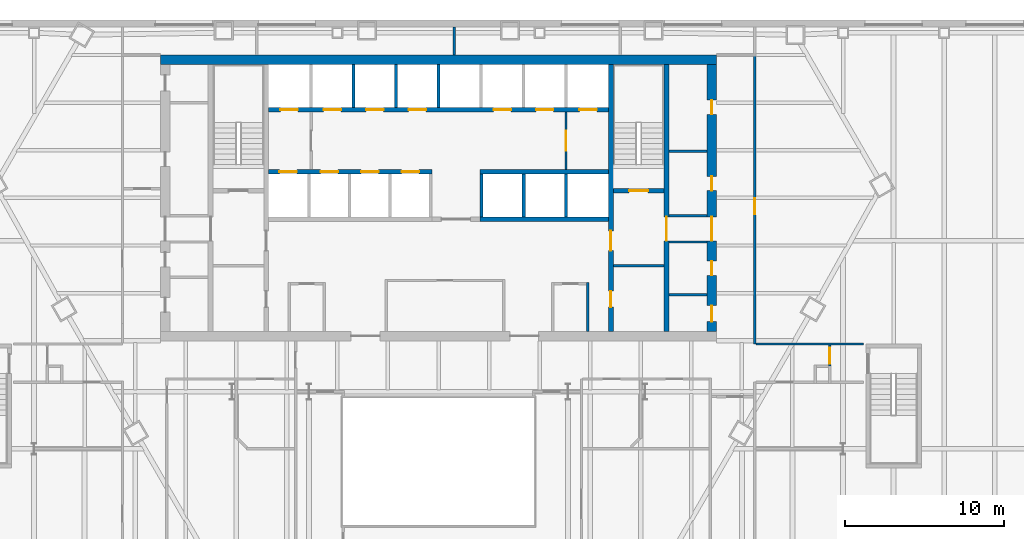
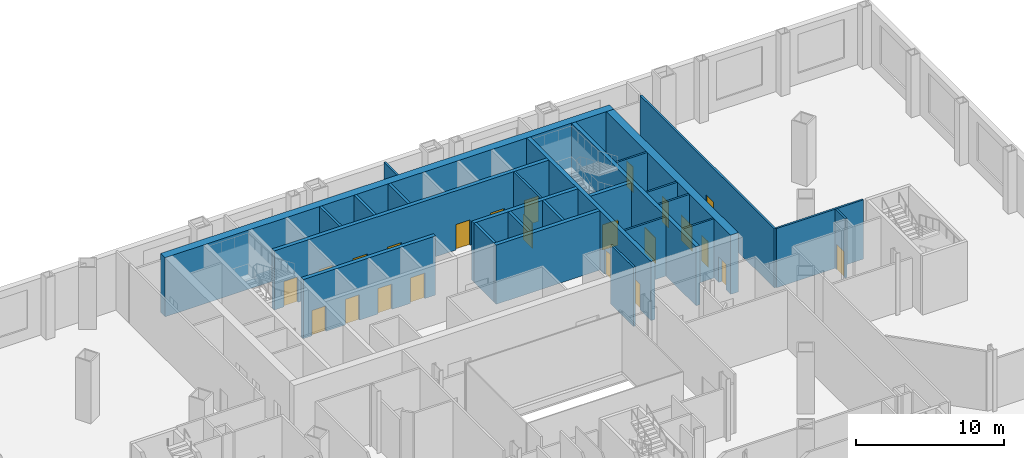
# One storey, part 13 of 21: 26 walls, 23 doors, 23 openings.
"""IFC4 building model written with IfcOpenShell, lengths in metres."""

from ifc_helpers import new_model, si_unit, direction, frame, frame_2d, origin, place, context, subcontext, project, spatial, rectangle, extrude, material, layer, layer_set, type_object, element, fill, save


model = new_model("IFC4")

# Units and contexts
model_context = context("Model", 3, precision=1e-05, world=origin(), true_north=direction((0.0, 1.0)))
body_context = subcontext(model_context, "Body", "Model", "MODEL_VIEW")
ifc_project = project(units=[si_unit("LENGTHUNIT", "METRE"), si_unit("AREAUNIT", "SQUARE_METRE"), si_unit("VOLUMEUNIT", "CUBIC_METRE"), si_unit("PLANEANGLEUNIT", "RADIAN"), si_unit("MASSUNIT", "GRAM", prefix="KILO")], contexts=[model_context])

# Site, building, storey
site_placement = place(None, origin())
site = spatial("IfcSite", under=ifc_project, at=site_placement, CompositionType="ELEMENT")
building_placement = place(site_placement, origin())
building = spatial("IfcBuilding", under=site, at=building_placement, Name="Njiva Tower", CompositionType="ELEMENT")
storey_placement = place(building_placement, frame((0.0, 0.0, 8.4)))
storey = spatial("IfcBuildingStorey", under=building, at=storey_placement, Name="L01", CompositionType="ELEMENT", Elevation=8.4)

# Walls
ifc_material_1 = material(Name="Blockwork", Category="masonry")
ifc_layer_1 = layer(ifc_material_1, 0.15)
ifc_layer_set_1 = layer_set([ifc_layer_1], Name="Blockwork")
wall_type_1 = type_object("IfcWallType", Name="WT1 Compartment partition 150", PredefinedType="PARTITIONING", material=ifc_layer_set_1)
wall_1_placement = place(storey_placement, frame((11.0, 4.725, 0.0), z_axis=(0.0, 0.0, 1.0), x_axis=(1.0, 0.0, 0.0)))
element("IfcWall", 1, at=wall_1_placement, inside=storey, type_object=wall_type_1, Name="Room wall B", PredefinedType="PARTITIONING", context=body_context, shape_type="SweptSolid", body=[
    extrude(rectangle(XDim=3.2, YDim=0.15, at=frame_2d((1.6, 0.0))), origin(), (0.0, 0.0, 1.0), 4.88),
])
wall_2_placement = place(storey_placement, frame((14.5, 11.9317, 0.0), z_axis=(0.0, 0.0, 1.0), x_axis=(1.0, 0.0, 0.0)))
element("IfcWall", 2, at=wall_2_placement, inside=storey, type_object=wall_type_1, Name="Partition strip E10", PredefinedType="PARTITIONING", context=body_context, shape_type="SweptSolid", body=[
    extrude(rectangle(XDim=2.4, YDim=0.15, at=frame_2d((1.2, 0.0))), origin(), (0.0, 0.0, 1.0), 4.88),
])
wall_3_placement = place(storey_placement, frame((9.4, 0.6, 0.0), z_axis=(0.0, 0.0, 1.0), x_axis=(0.0, 1.0, 0.0)))
element("IfcWall", 3, at=wall_3_placement, inside=storey, type_object=wall_type_1, Name="Tenant reception wall east", PredefinedType="PARTITIONING", context=body_context, shape_type="SweptSolid", body=[
    extrude(rectangle(XDim=3.075, YDim=0.15, at=frame_2d((1.5375, 0.0))), origin(), (0.0, 0.0, 1.0), 4.88),
])

# Wall, openings, doors
ifc_material_2 = material(Name="Concrete C40/50", Category="concrete")
ifc_layer_2 = layer(ifc_material_2, 0.3)
ifc_layer_set_2 = layer_set([ifc_layer_2], Name="Concrete C40/50")
wall_type_2 = type_object("IfcWallType", Name="WT10 Stair enclosure wall 300", PredefinedType="SHEAR", material=ifc_layer_set_2)
wall_4_placement = place(storey_placement, frame((10.85, 0.6, 0.0), z_axis=(0.0, 0.0, 1.0), x_axis=(0.0, 1.0, 0.0)))
wall_4 = element("IfcWall", 4, at=wall_4_placement, inside=storey, type_object=wall_type_2, Name="Stair wall east inner", PredefinedType="SHEAR", context=body_context, shape_type="SweptSolid", body=[
    extrude(rectangle(XDim=16.8, YDim=0.3, at=frame_2d((8.4, 0.0))), origin(), (0.0, 0.0, 1.0), 4.88),
])
opening_1_placement = place(wall_4_placement, frame((5.075, 0.0, 0.0)))
opening_1 = element("IfcOpeningElement", 5, at=opening_1_placement, cuts=wall_4, Name="Opening L01-D918", PredefinedType="OPENING", context=body_context, shape_type="SweptSolid", body=[
    extrude(rectangle(XDim=1.25, YDim=2.1, at=frame_2d((0.625, 1.05))), frame((0.0, 0.16, 0.0), z_axis=(0.0, -1.0, 0.0), x_axis=(1.0, 0.0, 0.0)), (0.0, 0.0, 1.0), 0.32),
])
opening_2_placement = place(wall_4_placement, frame((1.525, 0.0, 0.0)))
opening_2 = element("IfcOpeningElement", 6, at=opening_2_placement, cuts=wall_4, Name="Opening L01-D919", PredefinedType="OPENING", context=body_context, shape_type="SweptSolid", body=[
    extrude(rectangle(XDim=1.0, YDim=2.1, at=frame_2d((0.5, 1.05))), frame((0.0, 0.16, 0.0), z_axis=(0.0, -1.0, 0.0), x_axis=(1.0, 0.0, 0.0)), (0.0, 0.0, 1.0), 0.32),
])
ifc_material_3 = material(Name="Steel door, painted", Category="steel")
door_type_1 = type_object("IfcDoorType", Name="D5 Steel door 1000x2100", OperationType="SINGLE_SWING_LEFT", PredefinedType="DOOR", material=ifc_material_3)
door_1_placement = place(opening_2_placement, origin())
door_1 = element("IfcDoor", 7, at=door_1_placement, inside=storey, type_object=door_type_1, Name="Breakout room door", OperationType="SINGLE_SWING_LEFT", OverallHeight=2.1, OverallWidth=1.0, PredefinedType="DOOR", context=body_context, shape_type="SweptSolid", body=[
    extrude(rectangle(XDim=1.0, YDim=2.1, at=frame_2d((0.5, 1.05))), frame((0.0, 0.025, 0.0), z_axis=(0.0, -1.0, 0.0), x_axis=(1.0, 0.0, 0.0)), (0.0, 0.0, 1.0), 0.05),
])
fill(opening_2, door_1)
ifc_material_4 = material(Name="Glazed steel fire door", Category="steel")
door_type_2 = type_object("IfcDoorType", Name="D8 Vestibule corridor door 1250x2100 glazed", OperationType="SINGLE_SWING_LEFT", PredefinedType="DOOR", material=ifc_material_4)
door_2_placement = place(opening_1_placement, origin())
door_2 = element("IfcDoor", 8, at=door_2_placement, inside=storey, type_object=door_type_2, Name="Stair vestibule corridor door", OperationType="SINGLE_SWING_RIGHT", OverallHeight=2.1, OverallWidth=1.25, PredefinedType="DOOR", context=body_context, shape_type="SweptSolid", body=[
    extrude(rectangle(XDim=1.25, YDim=2.1, at=frame_2d((0.625, 1.05))), frame((0.0, 0.025, 0.0), z_axis=(0.0, -1.0, 0.0), x_axis=(1.0, 0.0, 0.0)), (0.0, 0.0, 1.0), 0.05),
])
fill(opening_1, door_2)

# Wall, opening, door
wall_5_placement = place(storey_placement, frame((14.35, 0.6, 0.0), z_axis=(0.0, 0.0, 1.0), x_axis=(0.0, 1.0, 0.0)))
wall_5 = element("IfcWall", 9, at=wall_5_placement, inside=storey, type_object=wall_type_2, Name="Stair wall east outer", PredefinedType="SHEAR", context=body_context, shape_type="SweptSolid", body=[
    extrude(rectangle(XDim=16.8, YDim=0.3, at=frame_2d((8.4, 0.0))), origin(), (0.0, 0.0, 1.0), 4.88),
])
opening_3_placement = place(wall_5_placement, frame((5.7, 0.0, 0.0)))
opening_3 = element("IfcOpeningElement", 10, at=opening_3_placement, cuts=wall_5, Name="Opening L01-D926", PredefinedType="OPENING", context=body_context, shape_type="SweptSolid", body=[
    extrude(rectangle(XDim=1.5, YDim=2.1, at=frame_2d((0.75, 1.05))), frame((0.0, 0.16, 0.0), z_axis=(0.0, -1.0, 0.0), x_axis=(1.0, 0.0, 0.0)), (0.0, 0.0, 1.0), 0.32),
])
door_type_3 = type_object("IfcDoorType", Name="D10 Exit door double 1500x2100 glazed", OperationType="DOUBLE_DOOR_SINGLE_SWING", PredefinedType="DOOR", material=ifc_material_4)
door_3_placement = place(opening_3_placement, origin())
door_3 = element("IfcDoor", 11, at=door_3_placement, inside=storey, type_object=door_type_3, Name="Stair B passage door", OperationType="DOUBLE_DOOR_SINGLE_SWING", OverallHeight=2.1, OverallWidth=1.5, PredefinedType="DOOR", context=body_context, shape_type="SweptSolid", body=[
    extrude(rectangle(XDim=1.5, YDim=2.1, at=frame_2d((0.75, 1.05))), frame((0.0, 0.025, 0.0), z_axis=(0.0, -1.0, 0.0), x_axis=(1.0, 0.0, 0.0)), (0.0, 0.0, 1.0), 0.05),
])
fill(opening_3, door_3)

wall_6_placement = place(storey_placement, frame((11.0, 9.45, 0.0), z_axis=(0.0, 0.0, 1.0), x_axis=(1.0, 0.0, 0.0)))
wall_6 = element("IfcWall", 12, at=wall_6_placement, inside=storey, type_object=wall_type_2, Name="Stair B south wall", PredefinedType="SHEAR", context=body_context, shape_type="SweptSolid", body=[
    extrude(rectangle(XDim=3.2, YDim=0.3, at=frame_2d((1.6, 0.0))), origin(), (0.0, 0.0, 1.0), 4.88),
])
opening_4_placement = place(wall_6_placement, frame((1.0, 0.0, 0.0)))
opening_4 = element("IfcOpeningElement", 13, at=opening_4_placement, cuts=wall_6, Name="Opening L01-D917", PredefinedType="OPENING", context=body_context, shape_type="SweptSolid", body=[
    extrude(rectangle(XDim=1.2, YDim=2.1, at=frame_2d((0.6, 1.05))), frame((0.0, 0.16, 0.0), z_axis=(0.0, -1.0, 0.0), x_axis=(1.0, 0.0, 0.0)), (0.0, 0.0, 1.0), 0.32),
])
door_type_4 = type_object("IfcDoorType", Name="D7 Stair vestibule door 1200x2100 glazed", OperationType="SINGLE_SWING_LEFT", PredefinedType="DOOR", material=ifc_material_4)
door_4_placement = place(opening_4_placement, origin())
door_4 = element("IfcDoor", 14, at=door_4_placement, inside=storey, type_object=door_type_4, Name="Stair B door", OperationType="SINGLE_SWING_LEFT", OverallHeight=2.1, OverallWidth=1.2, PredefinedType="DOOR", context=body_context, shape_type="SweptSolid", body=[
    extrude(rectangle(XDim=1.2, YDim=2.1, at=frame_2d((0.6, 1.05))), frame((0.0, 0.025, 0.0), z_axis=(0.0, -1.0, 0.0), x_axis=(1.0, 0.0, 0.0)), (0.0, 0.0, 1.0), 0.05),
])
fill(opening_4, door_4)

# Wall
ifc_material_5 = material(Name="Concrete C60/75", Category="concrete")
ifc_layer_3 = layer(ifc_material_5, 0.6)
ifc_layer_set_3 = layer_set([ifc_layer_3], Name="Concrete C60/75")
wall_type_3 = type_object("IfcWallType", Name="WT15 Core wall 600", PredefinedType="SHEAR", material=ifc_layer_set_3)
wall_7_placement = place(storey_placement, frame((-17.5, 17.7, 0.0), z_axis=(0.0, 0.0, 1.0), x_axis=(1.0, 0.0, 0.0)))
element("IfcWall", 15, at=wall_7_placement, inside=storey, type_object=wall_type_3, Name="Core wall north", PredefinedType="SHEAR", context=body_context, shape_type="SweptSolid", body=[
    extrude(rectangle(XDim=35.0, YDim=0.6, at=frame_2d((17.5, 0.0))), origin(), (0.0, 0.0, 1.0), 4.88),
])

# Wall, openings, doors
wall_8_placement = place(storey_placement, frame((17.2, 0.6, 0.0), z_axis=(0.0, 0.0, 1.0), x_axis=(0.0, 1.0, 0.0)))
wall_8 = element("IfcWall", 16, at=wall_8_placement, inside=storey, type_object=wall_type_3, Name="Core wall east", PredefinedType="SHEAR", context=body_context, shape_type="SweptSolid", body=[
    extrude(rectangle(XDim=16.8, YDim=0.6, at=frame_2d((8.4, 0.0))), origin(), (0.0, 0.0, 1.0), 4.88),
])
opening_5_placement = place(wall_8_placement, frame((5.7, 0.0, 0.0)))
opening_5 = element("IfcOpeningElement", 17, at=opening_5_placement, cuts=wall_8, Name="Opening L01-D927", PredefinedType="OPENING", context=body_context, shape_type="SweptSolid", body=[
    extrude(rectangle(XDim=1.5, YDim=2.1, at=frame_2d((0.75, 1.05))), frame((0.0, 0.31, 0.0), z_axis=(0.0, -1.0, 0.0), x_axis=(1.0, 0.0, 0.0)), (0.0, 0.0, 1.0), 0.62),
])
opening_6_placement = place(wall_8_placement, frame((0.6176, 0.0, 0.0)))
opening_6 = element("IfcOpeningElement", 18, at=opening_6_placement, cuts=wall_8, Name="Opening L01-D928", PredefinedType="OPENING", context=body_context, shape_type="SweptSolid", body=[
    extrude(rectangle(XDim=1.0, YDim=2.1, at=frame_2d((0.5, 1.05))), frame((0.0, 0.31, 0.0), z_axis=(0.0, -1.0, 0.0), x_axis=(1.0, 0.0, 0.0)), (0.0, 0.0, 1.0), 0.62),
])
opening_7_placement = place(wall_8_placement, frame((3.5176, 0.0, 0.0)))
opening_7 = element("IfcOpeningElement", 19, at=opening_7_placement, cuts=wall_8, Name="Opening L01-D929", PredefinedType="OPENING", context=body_context, shape_type="SweptSolid", body=[
    extrude(rectangle(XDim=0.9, YDim=2.1, at=frame_2d((0.45, 1.05))), frame((0.0, 0.31, 0.0), z_axis=(0.0, -1.0, 0.0), x_axis=(1.0, 0.0, 0.0)), (0.0, 0.0, 1.0), 0.62),
])
opening_8_placement = place(wall_8_placement, frame((8.8534, 0.0, 0.0)))
opening_8 = element("IfcOpeningElement", 20, at=opening_8_placement, cuts=wall_8, Name="Opening L01-D930", PredefinedType="OPENING", context=body_context, shape_type="SweptSolid", body=[
    extrude(rectangle(XDim=0.9, YDim=2.1, at=frame_2d((0.45, 1.05))), frame((0.0, 0.31, 0.0), z_axis=(0.0, -1.0, 0.0), x_axis=(1.0, 0.0, 0.0)), (0.0, 0.0, 1.0), 0.62),
])
opening_9_placement = place(wall_8_placement, frame((13.6534, 0.0, 0.0)))
opening_9 = element("IfcOpeningElement", 21, at=opening_9_placement, cuts=wall_8, Name="Opening L01-D931", PredefinedType="OPENING", context=body_context, shape_type="SweptSolid", body=[
    extrude(rectangle(XDim=0.9, YDim=2.1, at=frame_2d((0.45, 1.05))), frame((0.0, 0.31, 0.0), z_axis=(0.0, -1.0, 0.0), x_axis=(1.0, 0.0, 0.0)), (0.0, 0.0, 1.0), 0.62),
])
door_5_placement = place(opening_5_placement, origin())
door_5 = element("IfcDoor", 22, at=door_5_placement, inside=storey, type_object=door_type_3, Name="Stair B corridor door", OperationType="DOUBLE_DOOR_SINGLE_SWING", OverallHeight=2.1, OverallWidth=1.5, PredefinedType="DOOR", context=body_context, shape_type="SweptSolid", body=[
    extrude(rectangle(XDim=1.5, YDim=2.1, at=frame_2d((0.75, 1.05))), frame((0.0, 0.025, 0.0), z_axis=(0.0, -1.0, 0.0), x_axis=(1.0, 0.0, 0.0)), (0.0, 0.0, 1.0), 0.05),
])
fill(opening_5, door_5)
door_type_5 = type_object("IfcDoorType", Name="D4 Riser door 900x2100", OperationType="SINGLE_SWING_LEFT", PredefinedType="DOOR", material=ifc_material_3)
door_6_placement = place(opening_7_placement, origin())
door_6 = element("IfcDoor", 23, at=door_6_placement, inside=storey, type_object=door_type_5, Name="Riser door", OperationType="SINGLE_SWING_LEFT", OverallHeight=2.1, OverallWidth=0.9, PredefinedType="DOOR", context=body_context, shape_type="SweptSolid", body=[
    extrude(rectangle(XDim=0.9, YDim=2.1, at=frame_2d((0.45, 1.05))), frame((0.0, 0.025, 0.0), z_axis=(0.0, -1.0, 0.0), x_axis=(1.0, 0.0, 0.0)), (0.0, 0.0, 1.0), 0.05),
])
fill(opening_7, door_6)
door_7_placement = place(opening_6_placement, origin())
door_7 = element("IfcDoor", 24, at=door_7_placement, inside=storey, type_object=door_type_1, Name="Telecoms room door", OperationType="SINGLE_SWING_RIGHT", OverallHeight=2.1, OverallWidth=1.0, PredefinedType="DOOR", context=body_context, shape_type="SweptSolid", body=[
    extrude(rectangle(XDim=1.0, YDim=2.1, at=frame_2d((0.5, 1.05))), frame((0.0, 0.025, 0.0), z_axis=(0.0, -1.0, 0.0), x_axis=(1.0, 0.0, 0.0)), (0.0, 0.0, 1.0), 0.05),
])
fill(opening_6, door_7)
ifc_material_6 = material(Name="Steel fire door, painted", Category="steel")
door_type_6 = type_object("IfcDoorType", Name="D6 Fire-rated door 900x2100", OperationType="SINGLE_SWING_LEFT", PredefinedType="DOOR", material=ifc_material_6)
door_8_placement = place(opening_8_placement, origin())
door_8 = element("IfcDoor", 25, at=door_8_placement, inside=storey, type_object=door_type_6, Name="Quiet room door", OperationType="SINGLE_SWING_LEFT", OverallHeight=2.1, OverallWidth=0.9, PredefinedType="DOOR", context=body_context, shape_type="SweptSolid", body=[
    extrude(rectangle(XDim=0.9, YDim=2.1, at=frame_2d((0.45, 1.05))), frame((0.0, 0.025, 0.0), z_axis=(0.0, -1.0, 0.0), x_axis=(1.0, 0.0, 0.0)), (0.0, 0.0, 1.0), 0.05),
])
fill(opening_8, door_8)
door_9_placement = place(opening_9_placement, origin())
door_9 = element("IfcDoor", 26, at=door_9_placement, inside=storey, type_object=door_type_6, Name="Prayer room door", OperationType="SINGLE_SWING_LEFT", OverallHeight=2.1, OverallWidth=0.9, PredefinedType="DOOR", context=body_context, shape_type="SweptSolid", body=[
    extrude(rectangle(XDim=0.9, YDim=2.1, at=frame_2d((0.45, 1.05))), frame((0.0, 0.025, 0.0), z_axis=(0.0, -1.0, 0.0), x_axis=(1.0, 0.0, 0.0)), (0.0, 0.0, 1.0), 0.05),
])
fill(opening_9, door_9)

# Wall, opening, door
ifc_layer_4 = layer(ifc_material_1, 0.15)
ifc_layer_set_4 = layer_set([ifc_layer_4], Name="Blockwork")
wall_type_4 = type_object("IfcWallType", Name="WT2 Lobby partition 150", PredefinedType="PARTITIONING", material=ifc_layer_set_4)
wall_9_placement = place(storey_placement, frame((8.025, 10.8, 0.0), z_axis=(0.0, 0.0, 1.0), x_axis=(0.0, 1.0, 0.0)))
wall_9 = element("IfcWall", 27, at=wall_9_placement, inside=storey, type_object=wall_type_4, Name="Firefighting lobby wall B", PredefinedType="PARTITIONING", context=body_context, shape_type="SweptSolid", body=[
    extrude(rectangle(XDim=3.6, YDim=0.15, at=frame_2d((1.8, 0.0))), origin(), (0.0, 0.0, 1.0), 4.88),
])
opening_10_placement = place(wall_9_placement, frame((1.175, 0.0, 0.0)))
opening_10 = element("IfcOpeningElement", 28, at=opening_10_placement, cuts=wall_9, Name="Opening L01-D916", PredefinedType="OPENING", context=body_context, shape_type="SweptSolid", body=[
    extrude(rectangle(XDim=1.25, YDim=2.1, at=frame_2d((0.625, 1.05))), frame((0.0, 0.085, 0.0), z_axis=(0.0, -1.0, 0.0), x_axis=(1.0, 0.0, 0.0)), (0.0, 0.0, 1.0), 0.17),
])
door_10_placement = place(opening_10_placement, origin())
door_10 = element("IfcDoor", 29, at=door_10_placement, inside=storey, type_object=door_type_2, Name="Stair vestibule corridor door", OperationType="SINGLE_SWING_LEFT", OverallHeight=2.1, OverallWidth=1.25, PredefinedType="DOOR", context=body_context, shape_type="SweptSolid", body=[
    extrude(rectangle(XDim=1.25, YDim=2.1, at=frame_2d((0.625, 1.05))), frame((0.0, 0.025, 0.0), z_axis=(0.0, -1.0, 0.0), x_axis=(1.0, 0.0, 0.0)), (0.0, 0.0, 1.0), 0.05),
])
fill(opening_10, door_10)

ifc_material_7 = material(Name="Gypsum board on steel studs", Category="gypsum")
ifc_layer_5 = layer(ifc_material_7, 0.15)
ifc_layer_set_5 = layer_set([ifc_layer_5], Name="Gypsum board on steel studs")
wall_type_5 = type_object("IfcWallType", Name="WT21 Compartment wall 150", PredefinedType="PARTITIONING", material=ifc_layer_set_5)
wall_10_placement = place(storey_placement, frame((19.9, -0.211, 0.0), z_axis=(0.0, 0.0, 1.0), x_axis=(0.0, 1.0, 0.0)))
wall_10 = element("IfcWall", 30, at=wall_10_placement, inside=storey, type_object=wall_type_5, Name="Partition L01-P085", PredefinedType="PARTITIONING", context=body_context, shape_type="SweptSolid", body=[
    extrude(rectangle(XDim=18.136, YDim=0.15, at=frame_2d((9.068, 0.0))), origin(), (0.0, 0.0, 1.0), 4.88),
])
opening_11_placement = place(wall_10_placement, frame((8.174, 0.0, 0.0)))
opening_11 = element("IfcOpeningElement", 31, at=opening_11_placement, cuts=wall_10, Name="Opening L01-D031", PredefinedType="OPENING", context=body_context, shape_type="SweptSolid", body=[
    extrude(rectangle(XDim=1.0, YDim=2.1, at=frame_2d((0.5, 1.05))), frame((0.0, 0.085, 0.0), z_axis=(0.0, -1.0, 0.0), x_axis=(1.0, 0.0, 0.0)), (0.0, 0.0, 1.0), 0.17),
])
ifc_material_8 = material(Name="Steel fire door set", Category="steel")
door_type_7 = type_object("IfcDoorType", Name="D37 Fire door 1000x2100", OperationType="SINGLE_SWING_LEFT", PredefinedType="DOOR", material=ifc_material_8)
door_11_placement = place(opening_11_placement, origin())
door_11 = element("IfcDoor", 32, at=door_11_placement, inside=storey, type_object=door_type_7, Name="Door L01-D031", OperationType="SINGLE_SWING_LEFT", OverallHeight=2.1, OverallWidth=1.0, PredefinedType="DOOR", context=body_context, shape_type="SweptSolid", body=[
    extrude(rectangle(XDim=1.0, YDim=2.1, at=frame_2d((0.5, 1.05))), frame((0.0, 0.025, 0.0), z_axis=(0.0, -1.0, 0.0), x_axis=(1.0, 0.0, 0.0)), (0.0, 0.0, 1.0), 0.05),
])
fill(opening_11, door_11)

# Wall
wall_11_placement = place(storey_placement, frame((19.975, -0.2, 0.0), z_axis=(0.0, 0.0, 1.0), x_axis=(1.0, 0.0, 0.0)))
element("IfcWall", 33, at=wall_11_placement, inside=storey, type_object=wall_type_5, Name="Partition L01-P089", PredefinedType="PARTITIONING", context=body_context, shape_type="SweptSolid", body=[
    extrude(rectangle(XDim=6.775, YDim=0.15, at=frame_2d((3.3875, 0.0))), origin(), (0.0, 0.0, 1.0), 4.88),
])

# Wall, opening, door
wall_12_placement = place(storey_placement, frame((24.625, -1.588, 0.0), z_axis=(0.0, 0.0, 1.0), x_axis=(0.0, 1.0, 0.0)))
wall_12 = element("IfcWall", 34, at=wall_12_placement, inside=storey, type_object=wall_type_5, Name="Partition L01-P095", PredefinedType="PARTITIONING", context=body_context, shape_type="SweptSolid", body=[
    extrude(rectangle(XDim=1.313, YDim=0.15, at=frame_2d((0.6565, 0.0))), origin(), (0.0, 0.0, 1.0), 4.88),
])
opening_12_placement = place(wall_12_placement, frame((0.157, 0.0, 0.0)))
opening_12 = element("IfcOpeningElement", 35, at=opening_12_placement, cuts=wall_12, Name="Opening L01-D033", PredefinedType="OPENING", context=body_context, shape_type="SweptSolid", body=[
    extrude(rectangle(XDim=1.0, YDim=2.1, at=frame_2d((0.5, 1.05))), frame((0.0, 0.085, 0.0), z_axis=(0.0, -1.0, 0.0), x_axis=(1.0, 0.0, 0.0)), (0.0, 0.0, 1.0), 0.17),
])
door_type_8 = type_object("IfcDoorType", Name="D41 Glazed fire door 1000x2100", OperationType="SINGLE_SWING_LEFT", PredefinedType="DOOR", material=ifc_material_4)
door_12_placement = place(opening_12_placement, origin())
door_12 = element("IfcDoor", 36, at=door_12_placement, inside=storey, type_object=door_type_8, Name="Door L01-D033", OperationType="SINGLE_SWING_RIGHT", OverallHeight=2.1, OverallWidth=1.0, PredefinedType="DOOR", context=body_context, shape_type="SweptSolid", body=[
    extrude(rectangle(XDim=1.0, YDim=2.1, at=frame_2d((0.5, 1.05))), frame((0.0, 0.025, 0.0), z_axis=(0.0, -1.0, 0.0), x_axis=(1.0, 0.0, 0.0)), (0.0, 0.0, 1.0), 0.05),
])
fill(opening_12, door_12)

# Walls
ifc_layer_6 = layer(ifc_material_7, 0.15)
ifc_layer_set_6 = layer_set([ifc_layer_6], Name="Gypsum board on steel studs")
wall_type_6 = type_object("IfcWallType", Name="WT24 Riser room wall 150", PredefinedType="PARTITIONING", material=ifc_layer_set_6)
wall_13_placement = place(storey_placement, frame((1.0, 18.0, 0.0), z_axis=(0.0, 0.0, 1.0), x_axis=(0.0, 1.0, 0.0)))
element("IfcWall", 37, at=wall_13_placement, inside=storey, type_object=wall_type_6, Name="Partition L01-P056", PredefinedType="PARTITIONING", context=body_context, shape_type="SweptSolid", body=[
    extrude(rectangle(XDim=1.75, YDim=0.15, at=frame_2d((0.875, 0.0))), origin(), (0.0, 0.0, 1.0), 4.88),
])
ifc_layer_7 = layer(ifc_material_1, 0.15)
ifc_layer_set_7 = layer_set([ifc_layer_7], Name="Blockwork")
wall_type_7 = type_object("IfcWallType", Name="WT3 Riser partition 150", PredefinedType="PARTITIONING", material=ifc_layer_set_7)
wall_14_placement = place(storey_placement, frame((14.5, 2.9102, 0.0), z_axis=(0.0, 0.0, 1.0), x_axis=(1.0, 0.0, 0.0)))
element("IfcWall", 38, at=wall_14_placement, inside=storey, type_object=wall_type_7, Name="Partition strip E00", PredefinedType="PARTITIONING", context=body_context, shape_type="SweptSolid", body=[
    extrude(rectangle(XDim=2.4, YDim=0.15, at=frame_2d((1.2, 0.0))), origin(), (0.0, 0.0, 1.0), 4.88),
])
ifc_layer_8 = layer(ifc_material_1, 0.15)
ifc_layer_set_8 = layer_set([ifc_layer_8], Name="Blockwork")
wall_type_8 = type_object("IfcWallType", Name="WT4 Stair partition 150", PredefinedType="PARTITIONING", material=ifc_layer_set_8)
for number, where, z_axis, x_axis, name in (
    (39, (14.5, 6.225, 0.0), (0.0, 0.0, 1.0), (1.0, 0.0, 0.0), "Stair B exit passage wall south"),
    (40, (14.5, 7.875, 0.0), (0.0, 0.0, 1.0), (1.0, 0.0, 0.0), "Stair B exit passage wall north"),
):
    element("IfcWall", number, at=place(storey_placement, frame(where, z_axis=z_axis, x_axis=x_axis)), inside=storey, type_object=wall_type_8, Name=name, PredefinedType="PARTITIONING", context=body_context, shape_type="SweptSolid", body=[
        extrude(rectangle(XDim=2.4, YDim=0.15, at=frame_2d((1.2, 0.0))), origin(), (0.0, 0.0, 1.0), 4.88),
    ])
ifc_layer_9 = layer(ifc_material_2, 0.2)
ifc_layer_set_9 = layer_set([ifc_layer_9], Name="Concrete C40/50")
wall_type_9 = type_object("IfcWallType", Name="WT6 Lift shaft wall 200", PredefinedType="SHEAR", material=ifc_layer_set_9)
for number, where, z_axis, x_axis, name in (
    (41, (-5.35, 14.7, 0.0), (0.0, 0.0, 1.0), (0.0, 1.0, 0.0), "Shaft wall CN2"),
    (42, (-2.675, 14.7, 0.0), (0.0, 0.0, 1.0), (0.0, 1.0, 0.0), "Shaft wall CN3"),
    (43, (0.0, 14.7, 0.0), (0.0, 0.0, 1.0), (0.0, 1.0, 0.0), "Shaft wall CN4"),
    (44, (2.7, 7.8, 0.0), (0.0, 0.0, 1.0), (0.0, 1.0, 0.0), "Shaft wall CS5"),
    (45, (5.3667, 7.8, 0.0), (0.0, 0.0, 1.0), (0.0, 1.0, 0.0), "Shaft wall CS6"),
    (46, (8.0333, 7.8, 0.0), (0.0, 0.0, 1.0), (0.0, 1.0, 0.0), "Shaft wall CS7"),
):
    element("IfcWall", number, at=place(storey_placement, frame(where, z_axis=z_axis, x_axis=x_axis)), inside=storey, type_object=wall_type_9, Name=name, PredefinedType="SHEAR", context=body_context, shape_type="SweptSolid", body=[
        extrude(rectangle(XDim=2.7, YDim=0.2, at=frame_2d((1.35, 0.0))), origin(), (0.0, 0.0, 1.0), 4.88),
    ])

# Wall, openings, doors
ifc_layer_10 = layer(ifc_material_2, 0.3)
ifc_layer_set_10 = layer_set([ifc_layer_10], Name="Concrete C40/50")
wall_type_10 = type_object("IfcWallType", Name="WT7 Lift shaft wall 300", PredefinedType="SHEAR", material=ifc_layer_set_10)
wall_15_placement = place(storey_placement, frame((-10.7, 14.55, 0.0), z_axis=(0.0, 0.0, 1.0), x_axis=(1.0, 0.0, 0.0)))
wall_15 = element("IfcWall", 47, at=wall_15_placement, inside=storey, type_object=wall_type_10, Name="Shaft wall north row lobby side", PredefinedType="SHEAR", context=body_context, shape_type="SweptSolid", body=[
    extrude(rectangle(XDim=21.4, YDim=0.3, at=frame_2d((10.7, 0.0))), origin(), (0.0, 0.0, 1.0), 4.88),
])
opening_13_placement = place(wall_15_placement, frame((0.7375, 0.0, 0.0)))
opening_13 = element("IfcOpeningElement", 48, at=opening_13_placement, cuts=wall_15, Name="Opening L01-D901", PredefinedType="OPENING", context=body_context, shape_type="SweptSolid", body=[
    extrude(rectangle(XDim=1.1, YDim=2.1, at=frame_2d((0.55, 1.05))), frame((0.0, 0.16, 0.0), z_axis=(0.0, -1.0, 0.0), x_axis=(1.0, 0.0, 0.0)), (0.0, 0.0, 1.0), 0.32),
])
opening_14_placement = place(wall_15_placement, frame((3.4625, 0.0, 0.0)))
opening_14 = element("IfcOpeningElement", 49, at=opening_14_placement, cuts=wall_15, Name="Opening L01-D902", PredefinedType="OPENING", context=body_context, shape_type="SweptSolid", body=[
    extrude(rectangle(XDim=1.1, YDim=2.1, at=frame_2d((0.55, 1.05))), frame((0.0, 0.16, 0.0), z_axis=(0.0, -1.0, 0.0), x_axis=(1.0, 0.0, 0.0)), (0.0, 0.0, 1.0), 0.32),
])
opening_15_placement = place(wall_15_placement, frame((6.1375, 0.0, 0.0)))
opening_15 = element("IfcOpeningElement", 50, at=opening_15_placement, cuts=wall_15, Name="Opening L01-D903", PredefinedType="OPENING", context=body_context, shape_type="SweptSolid", body=[
    extrude(rectangle(XDim=1.1, YDim=2.1, at=frame_2d((0.55, 1.05))), frame((0.0, 0.16, 0.0), z_axis=(0.0, -1.0, 0.0), x_axis=(1.0, 0.0, 0.0)), (0.0, 0.0, 1.0), 0.32),
])
opening_16_placement = place(wall_15_placement, frame((8.8125, 0.0, 0.0)))
opening_16 = element("IfcOpeningElement", 51, at=opening_16_placement, cuts=wall_15, Name="Opening L01-D904", PredefinedType="OPENING", context=body_context, shape_type="SweptSolid", body=[
    extrude(rectangle(XDim=1.1, YDim=2.1, at=frame_2d((0.55, 1.05))), frame((0.0, 0.16, 0.0), z_axis=(0.0, -1.0, 0.0), x_axis=(1.0, 0.0, 0.0)), (0.0, 0.0, 1.0), 0.32),
])
opening_17_placement = place(wall_15_placement, frame((14.1625, 0.0, 0.0)))
opening_17 = element("IfcOpeningElement", 52, at=opening_17_placement, cuts=wall_15, Name="Opening L01-D905", PredefinedType="OPENING", context=body_context, shape_type="SweptSolid", body=[
    extrude(rectangle(XDim=1.1, YDim=2.1, at=frame_2d((0.55, 1.05))), frame((0.0, 0.16, 0.0), z_axis=(0.0, -1.0, 0.0), x_axis=(1.0, 0.0, 0.0)), (0.0, 0.0, 1.0), 0.32),
])
opening_18_placement = place(wall_15_placement, frame((16.8375, 0.0, 0.0)))
opening_18 = element("IfcOpeningElement", 53, at=opening_18_placement, cuts=wall_15, Name="Opening L01-D906", PredefinedType="OPENING", context=body_context, shape_type="SweptSolid", body=[
    extrude(rectangle(XDim=1.1, YDim=2.1, at=frame_2d((0.55, 1.05))), frame((0.0, 0.16, 0.0), z_axis=(0.0, -1.0, 0.0), x_axis=(1.0, 0.0, 0.0)), (0.0, 0.0, 1.0), 0.32),
])
opening_19_placement = place(wall_15_placement, frame((19.5625, 0.0, 0.0)))
opening_19 = element("IfcOpeningElement", 54, at=opening_19_placement, cuts=wall_15, Name="Opening L01-D907", PredefinedType="OPENING", context=body_context, shape_type="SweptSolid", body=[
    extrude(rectangle(XDim=1.1, YDim=2.1, at=frame_2d((0.55, 1.05))), frame((0.0, 0.16, 0.0), z_axis=(0.0, -1.0, 0.0), x_axis=(1.0, 0.0, 0.0)), (0.0, 0.0, 1.0), 0.32),
])
ifc_material_9 = material(Name="Stainless steel sliding door", Category="steel")
door_type_9 = type_object("IfcDoorType", Name="LD Lift landing door 1100x2100", OperationType="SLIDING_TO_LEFT", PredefinedType="DOOR", material=ifc_material_9)
door_13_placement = place(opening_13_placement, origin())
door_13 = element("IfcDoor", 55, at=door_13_placement, inside=storey, type_object=door_type_9, Name="Lift landing door FF1", OperationType="SLIDING_TO_LEFT", OverallHeight=2.1, OverallWidth=1.1, PredefinedType="DOOR", context=body_context, shape_type="SweptSolid", body=[
    extrude(rectangle(XDim=1.1, YDim=2.1, at=frame_2d((0.55, 1.05))), frame((0.0, 0.025, 0.0), z_axis=(0.0, -1.0, 0.0), x_axis=(1.0, 0.0, 0.0)), (0.0, 0.0, 1.0), 0.05),
])
fill(opening_13, door_13)
door_14_placement = place(opening_14_placement, origin())
door_14 = element("IfcDoor", 56, at=door_14_placement, inside=storey, type_object=door_type_9, Name="Lift landing door LB1", OperationType="SLIDING_TO_LEFT", OverallHeight=2.1, OverallWidth=1.1, PredefinedType="DOOR", context=body_context, shape_type="SweptSolid", body=[
    extrude(rectangle(XDim=1.1, YDim=2.1, at=frame_2d((0.55, 1.05))), frame((0.0, 0.025, 0.0), z_axis=(0.0, -1.0, 0.0), x_axis=(1.0, 0.0, 0.0)), (0.0, 0.0, 1.0), 0.05),
])
fill(opening_14, door_14)
door_15_placement = place(opening_15_placement, origin())
door_15 = element("IfcDoor", 57, at=door_15_placement, inside=storey, type_object=door_type_9, Name="Lift landing door LB2", OperationType="SLIDING_TO_LEFT", OverallHeight=2.1, OverallWidth=1.1, PredefinedType="DOOR", context=body_context, shape_type="SweptSolid", body=[
    extrude(rectangle(XDim=1.1, YDim=2.1, at=frame_2d((0.55, 1.05))), frame((0.0, 0.025, 0.0), z_axis=(0.0, -1.0, 0.0), x_axis=(1.0, 0.0, 0.0)), (0.0, 0.0, 1.0), 0.05),
])
fill(opening_15, door_15)
door_16_placement = place(opening_16_placement, origin())
door_16 = element("IfcDoor", 58, at=door_16_placement, inside=storey, type_object=door_type_9, Name="Lift landing door LB3", OperationType="SLIDING_TO_LEFT", OverallHeight=2.1, OverallWidth=1.1, PredefinedType="DOOR", context=body_context, shape_type="SweptSolid", body=[
    extrude(rectangle(XDim=1.1, YDim=2.1, at=frame_2d((0.55, 1.05))), frame((0.0, 0.025, 0.0), z_axis=(0.0, -1.0, 0.0), x_axis=(1.0, 0.0, 0.0)), (0.0, 0.0, 1.0), 0.05),
])
fill(opening_16, door_16)
door_17_placement = place(opening_17_placement, origin())
door_17 = element("IfcDoor", 59, at=door_17_placement, inside=storey, type_object=door_type_9, Name="Lift landing door FR1", OperationType="SLIDING_TO_LEFT", OverallHeight=2.1, OverallWidth=1.1, PredefinedType="DOOR", context=body_context, shape_type="SweptSolid", body=[
    extrude(rectangle(XDim=1.1, YDim=2.1, at=frame_2d((0.55, 1.05))), frame((0.0, 0.025, 0.0), z_axis=(0.0, -1.0, 0.0), x_axis=(1.0, 0.0, 0.0)), (0.0, 0.0, 1.0), 0.05),
])
fill(opening_17, door_17)
door_18_placement = place(opening_18_placement, origin())
door_18 = element("IfcDoor", 60, at=door_18_placement, inside=storey, type_object=door_type_9, Name="Lift landing door FR2", OperationType="SLIDING_TO_LEFT", OverallHeight=2.1, OverallWidth=1.1, PredefinedType="DOOR", context=body_context, shape_type="SweptSolid", body=[
    extrude(rectangle(XDim=1.1, YDim=2.1, at=frame_2d((0.55, 1.05))), frame((0.0, 0.025, 0.0), z_axis=(0.0, -1.0, 0.0), x_axis=(1.0, 0.0, 0.0)), (0.0, 0.0, 1.0), 0.05),
])
fill(opening_18, door_18)
door_19_placement = place(opening_19_placement, origin())
door_19 = element("IfcDoor", 61, at=door_19_placement, inside=storey, type_object=door_type_9, Name="Lift landing door FF2", OperationType="SLIDING_TO_LEFT", OverallHeight=2.1, OverallWidth=1.1, PredefinedType="DOOR", context=body_context, shape_type="SweptSolid", body=[
    extrude(rectangle(XDim=1.1, YDim=2.1, at=frame_2d((0.55, 1.05))), frame((0.0, 0.025, 0.0), z_axis=(0.0, -1.0, 0.0), x_axis=(1.0, 0.0, 0.0)), (0.0, 0.0, 1.0), 0.05),
])
fill(opening_19, door_19)

wall_16_placement = place(storey_placement, frame((-10.7, 10.65, 0.0), z_axis=(0.0, 0.0, 1.0), x_axis=(1.0, 0.0, 0.0)))
wall_16 = element("IfcWall", 62, at=wall_16_placement, inside=storey, type_object=wall_type_10, Name="Shaft wall south row lobby side W", PredefinedType="SHEAR", context=body_context, shape_type="SweptSolid", body=[
    extrude(rectangle(XDim=10.3, YDim=0.3, at=frame_2d((5.15, 0.0))), origin(), (0.0, 0.0, 1.0), 4.88),
])
opening_20_placement = place(wall_16_placement, frame((0.675, 0.0, 0.0)))
opening_20 = element("IfcOpeningElement", 63, at=opening_20_placement, cuts=wall_16, Name="Opening L01-D908", PredefinedType="OPENING", context=body_context, shape_type="SweptSolid", body=[
    extrude(rectangle(XDim=1.1, YDim=2.1, at=frame_2d((0.55, 1.05))), frame((0.0, 0.16, 0.0), z_axis=(0.0, -1.0, 0.0), x_axis=(1.0, 0.0, 0.0)), (0.0, 0.0, 1.0), 0.32),
])
opening_21_placement = place(wall_16_placement, frame((3.275, 0.0, 0.0)))
opening_21 = element("IfcOpeningElement", 64, at=opening_21_placement, cuts=wall_16, Name="Opening L01-D909", PredefinedType="OPENING", context=body_context, shape_type="SweptSolid", body=[
    extrude(rectangle(XDim=1.1, YDim=2.1, at=frame_2d((0.55, 1.05))), frame((0.0, 0.16, 0.0), z_axis=(0.0, -1.0, 0.0), x_axis=(1.0, 0.0, 0.0)), (0.0, 0.0, 1.0), 0.32),
])
opening_22_placement = place(wall_16_placement, frame((5.825, 0.0, 0.0)))
opening_22 = element("IfcOpeningElement", 65, at=opening_22_placement, cuts=wall_16, Name="Opening L01-D910", PredefinedType="OPENING", context=body_context, shape_type="SweptSolid", body=[
    extrude(rectangle(XDim=1.1, YDim=2.1, at=frame_2d((0.55, 1.05))), frame((0.0, 0.16, 0.0), z_axis=(0.0, -1.0, 0.0), x_axis=(1.0, 0.0, 0.0)), (0.0, 0.0, 1.0), 0.32),
])
opening_23_placement = place(wall_16_placement, frame((8.375, 0.0, 0.0)))
opening_23 = element("IfcOpeningElement", 66, at=opening_23_placement, cuts=wall_16, Name="Opening L01-D911", PredefinedType="OPENING", context=body_context, shape_type="SweptSolid", body=[
    extrude(rectangle(XDim=1.1, YDim=2.1, at=frame_2d((0.55, 1.05))), frame((0.0, 0.16, 0.0), z_axis=(0.0, -1.0, 0.0), x_axis=(1.0, 0.0, 0.0)), (0.0, 0.0, 1.0), 0.32),
])
door_20_placement = place(opening_20_placement, origin())
door_20 = element("IfcDoor", 67, at=door_20_placement, inside=storey, type_object=door_type_9, Name="Lift landing door LB4", OperationType="SLIDING_TO_LEFT", OverallHeight=2.1, OverallWidth=1.1, PredefinedType="DOOR", context=body_context, shape_type="SweptSolid", body=[
    extrude(rectangle(XDim=1.1, YDim=2.1, at=frame_2d((0.55, 1.05))), frame((0.0, 0.025, 0.0), z_axis=(0.0, -1.0, 0.0), x_axis=(1.0, 0.0, 0.0)), (0.0, 0.0, 1.0), 0.05),
])
fill(opening_20, door_20)
door_21_placement = place(opening_21_placement, origin())
door_21 = element("IfcDoor", 68, at=door_21_placement, inside=storey, type_object=door_type_9, Name="Lift landing door LB5", OperationType="SLIDING_TO_LEFT", OverallHeight=2.1, OverallWidth=1.1, PredefinedType="DOOR", context=body_context, shape_type="SweptSolid", body=[
    extrude(rectangle(XDim=1.1, YDim=2.1, at=frame_2d((0.55, 1.05))), frame((0.0, 0.025, 0.0), z_axis=(0.0, -1.0, 0.0), x_axis=(1.0, 0.0, 0.0)), (0.0, 0.0, 1.0), 0.05),
])
fill(opening_21, door_21)
door_22_placement = place(opening_22_placement, origin())
door_22 = element("IfcDoor", 69, at=door_22_placement, inside=storey, type_object=door_type_9, Name="Lift landing door LB6", OperationType="SLIDING_TO_LEFT", OverallHeight=2.1, OverallWidth=1.1, PredefinedType="DOOR", context=body_context, shape_type="SweptSolid", body=[
    extrude(rectangle(XDim=1.1, YDim=2.1, at=frame_2d((0.55, 1.05))), frame((0.0, 0.025, 0.0), z_axis=(0.0, -1.0, 0.0), x_axis=(1.0, 0.0, 0.0)), (0.0, 0.0, 1.0), 0.05),
])
fill(opening_22, door_22)
door_23_placement = place(opening_23_placement, origin())
door_23 = element("IfcDoor", 70, at=door_23_placement, inside=storey, type_object=door_type_9, Name="Lift landing door LB7", OperationType="SLIDING_TO_LEFT", OverallHeight=2.1, OverallWidth=1.1, PredefinedType="DOOR", context=body_context, shape_type="SweptSolid", body=[
    extrude(rectangle(XDim=1.1, YDim=2.1, at=frame_2d((0.55, 1.05))), frame((0.0, 0.025, 0.0), z_axis=(0.0, -1.0, 0.0), x_axis=(1.0, 0.0, 0.0)), (0.0, 0.0, 1.0), 0.05),
])
fill(opening_23, door_23)

# Walls
for number, where, z_axis, x_axis, name in (
    (71, (2.6, 10.65, 0.0), (0.0, 0.0, 1.0), (1.0, 0.0, 0.0), "Shaft wall south row lobby side E"),
    (72, (2.6, 7.65, 0.0), (0.0, 0.0, 1.0), (1.0, 0.0, 0.0), "Shaft wall south row back E"),
):
    element("IfcWall", number, at=place(storey_placement, frame(where, z_axis=z_axis, x_axis=x_axis)), inside=storey, type_object=wall_type_10, Name=name, PredefinedType="SHEAR", context=body_context, shape_type="SweptSolid", body=[
        extrude(rectangle(XDim=8.1, YDim=0.3, at=frame_2d((4.05, 0.0))), origin(), (0.0, 0.0, 1.0), 4.88),
    ])

save(model, "model.ifc")
